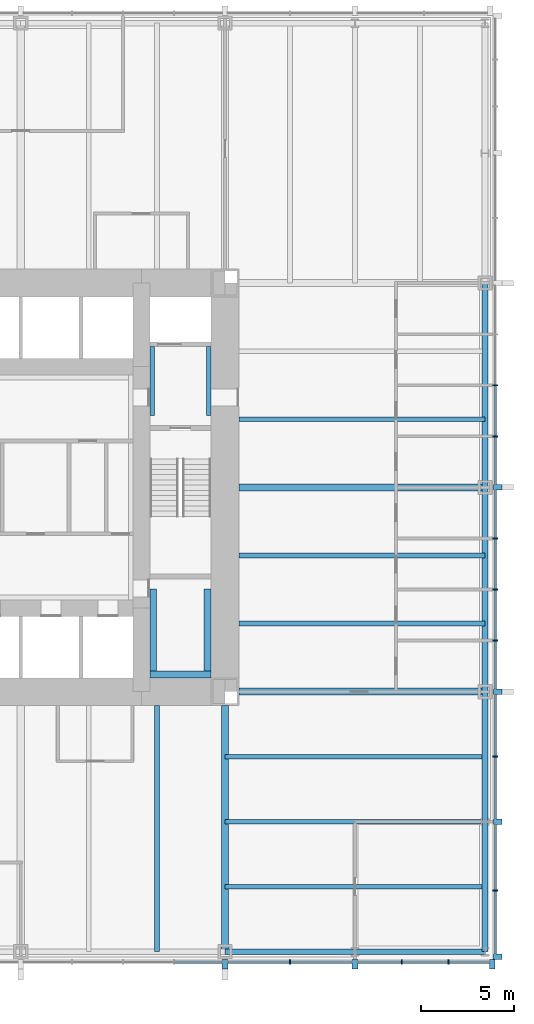
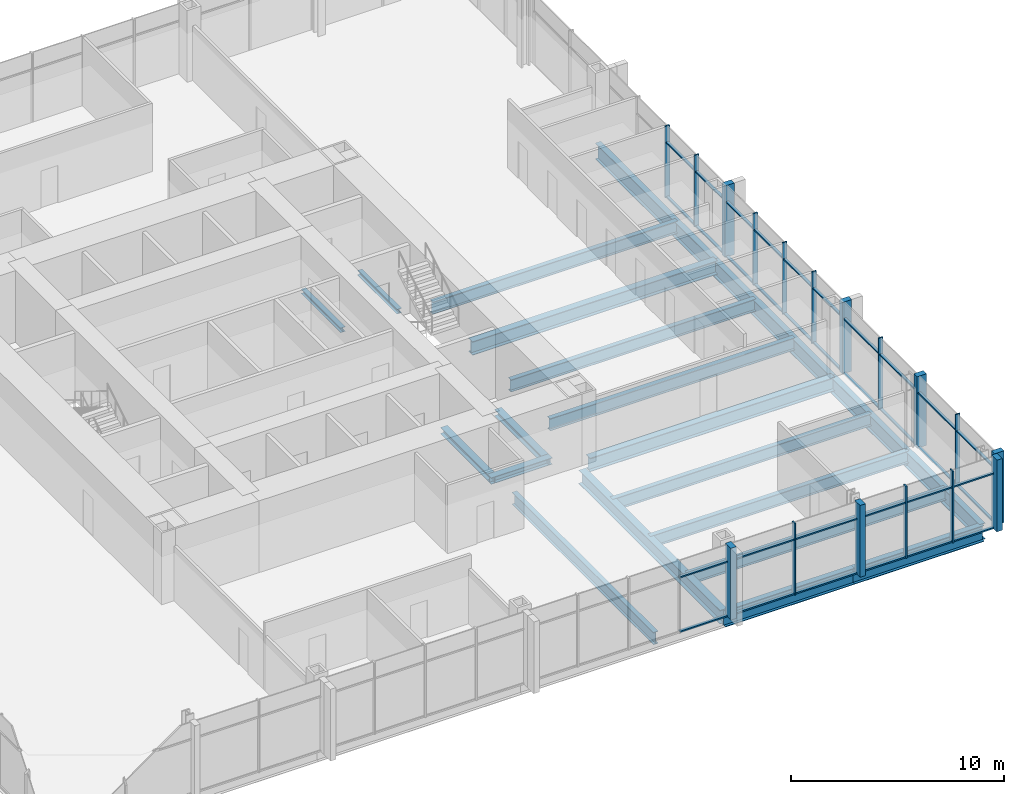
# One storey, part 4 of 13: 49 members, 21 beams, 2 elements without a shape of their own.
"""IFC4 building model written with IfcOpenShell, lengths in metres."""

from ifc_helpers import new_model, si_unit, direction, frame, origin, origin_2d, place, context, subcontext, project, spatial, rectangle, i_section, extrude, material, material_profile, profile_set, type_object, element, aggregate, save


model = new_model("IFC4")

# Units and contexts
model_context = context("Model", 3, precision=1e-05, world=origin(), true_north=direction((0.0, 1.0)))
body_context = subcontext(model_context, "Body", "Model", "MODEL_VIEW")
ifc_project = project(units=[si_unit("LENGTHUNIT", "METRE"), si_unit("AREAUNIT", "SQUARE_METRE"), si_unit("VOLUMEUNIT", "CUBIC_METRE"), si_unit("PLANEANGLEUNIT", "RADIAN"), si_unit("MASSUNIT", "GRAM", prefix="KILO")], contexts=[model_context])

# Site, building, storey
site_placement = place(None, origin())
site = spatial("IfcSite", under=ifc_project, at=site_placement, CompositionType="ELEMENT")
building_placement = place(site_placement, origin())
building = spatial("IfcBuilding", under=site, at=building_placement, Name="Trevanion Tower", CompositionType="ELEMENT")
storey_placement = place(building_placement, frame((0.0, 0.0, 81.60009765625)))
storey = spatial("IfcBuildingStorey", under=building, at=storey_placement, Name="L19", CompositionType="ELEMENT", Elevation=81.60009765625)

# Beams
ifc_material_1 = material(Name="Steel ASTM A992 Grade 50", Category="steel")
ifc_material_profile_1 = material_profile(ifc_material_1, i_section(OverallWidth=0.25390625, OverallDepth=0.700927734375, WebThickness=0.015380859375, FlangeThickness=0.02783203125, at=origin_2d()), Name="W27X129")
ifc_profile_set_1 = profile_set([ifc_material_profile_1], Name="Steel ASTM A992 Grade 50")
beam_type_1 = type_object("IfcBeamType", Name="B3 W27X129", PredefinedType="BEAM", material=ifc_profile_set_1)
for number, where, z_axis, x_axis, name in (
    (1, (11.75, -7.333251953125, -0.54052734375), (1.0, 0.0, 0.0), (0.0, 1.0, 0.0), "B3 L19"),
    (2, (11.75, -3.666748046875, -0.54052734375), (1.0, 0.0, 0.0), (0.0, 1.0, 0.0), "B3 L19"),
    (3, (11.75, 3.666748046875, -0.54052734375), (1.0, 0.0, 0.0), (0.0, 1.0, 0.0), "B3 L19"),
    (4, (7.333251953125, -11.75, -0.54052734375), (0.0, -1.0, 0.0), (1.0, 0.0, 0.0), "B3 L19"),
):
    element("IfcBeam", number, at=place(storey_placement, frame(where, z_axis=z_axis, x_axis=x_axis)), inside=storey, type_object=beam_type_1, Name=name, PredefinedType="BEAM", context=body_context, shape_type="SweptSolid", body=[
        extrude(i_section(OverallWidth=0.25390625, OverallDepth=0.700927734375, WebThickness=0.015380859375, FlangeThickness=0.02783203125, at=origin_2d()), origin(), (0.0, 0.0, 1.0), 13.25),
    ])
ifc_material_2 = material(Name="Steel ASTM A992 Grade 50", Category="steel")
ifc_material_profile_2 = material_profile(ifc_material_2, i_section(OverallWidth=0.256591796875, OverallDepth=0.693359375, WebThickness=0.014404296875, FlangeThickness=0.023681640625, at=origin_2d()), Name="W27X114")
ifc_profile_set_2 = profile_set([ifc_material_profile_2], Name="Steel ASTM A992 Grade 50")
beam_type_2 = type_object("IfcBeamType", Name="B4 W27X114", PredefinedType="BEAM", material=ifc_profile_set_2)
for number, where, z_axis, x_axis, name in (
    (5, (11.0, -14.5, -0.536865234375), (1.0, 0.0, 0.0), (0.0, 1.0, 0.0), "B4 L19"),
    (6, (11.0, -18.0, -0.536865234375), (1.0, 0.0, 0.0), (0.0, 1.0, 0.0), "B4 L19"),
    (7, (11.0, -21.5, -0.536865234375), (1.0, 0.0, 0.0), (0.0, 1.0, 0.0), "B4 L19"),
):
    element("IfcBeam", number, at=place(storey_placement, frame(where, z_axis=z_axis, x_axis=x_axis)), inside=storey, type_object=beam_type_2, Name=name, PredefinedType="BEAM", context=body_context, shape_type="SweptSolid", body=[
        extrude(i_section(OverallWidth=0.256591796875, OverallDepth=0.693359375, WebThickness=0.014404296875, FlangeThickness=0.023681640625, at=origin_2d()), origin(), (0.0, 0.0, 1.0), 14.0),
    ])

# Curtain wall, members
ifc_material_3 = material(Name="Aluminium and glass", Category="aluminium")
curtain_wall_type = type_object("IfcCurtainWallType", Name="CW1 curtain wall", PredefinedType="USERDEFINED", material=ifc_material_3)
curtain_wall_1_placement = place(storey_placement, origin())
curtain_wall_1 = element("IfcCurtainWall", 8, at=curtain_wall_1_placement, inside=storey, type_object=curtain_wall_type, Name="CW1 L19 0", ObjectType="UNITISED CURTAIN WALL", PredefinedType="USERDEFINED")
ifc_material_4 = material(Name="Aluminium extrusion, anodised bronze", Category="aluminium")
ifc_material_profile_3 = material_profile(ifc_material_4, rectangle(XDim=0.074951171875, YDim=0.25, at=origin_2d()), Name="CW1 mullion")
ifc_profile_set_3 = profile_set([ifc_material_profile_3], Name="Aluminium extrusion, anodised bronze")
member_type_1 = type_object("IfcMemberType", Name="CW1 mullion", PredefinedType="MULLION", material=ifc_profile_set_3)
member_1_placement = place(storey_placement, frame((25.550048828125, -21.7099609375, -0.190185546875), z_axis=(0.0, 0.0, 1.0), x_axis=(0.0, 1.0, 0.0)))
member_1 = element("IfcMember", 9, at=member_1_placement, type_object=member_type_1, Name="CW1 mullion 2", PredefinedType="MULLION", context=body_context, shape_type="SweptSolid", body=[
    extrude(rectangle(XDim=0.074951171875, YDim=0.25, at=origin_2d()), origin(), (0.0, 0.0, 1.0), 4.10009765625),
])
member_2_placement = place(storey_placement, frame((25.550048828125, -14.5, -0.190185546875), z_axis=(0.0, 0.0, 1.0), x_axis=(0.0, 1.0, 0.0)))
member_2 = element("IfcMember", 10, at=member_2_placement, type_object=member_type_1, Name="CW1 mullion 4", PredefinedType="MULLION", context=body_context, shape_type="SweptSolid", body=[
    extrude(rectangle(XDim=0.074951171875, YDim=0.25, at=origin_2d()), origin(), (0.0, 0.0, 1.0), 4.10009765625),
])
member_3_placement = place(storey_placement, frame((25.550048828125, -8.25, -0.190185546875), z_axis=(0.0, 0.0, 1.0), x_axis=(0.0, 1.0, 0.0)))
member_3 = element("IfcMember", 11, at=member_3_placement, type_object=member_type_1, Name="CW1 mullion 6", PredefinedType="MULLION", context=body_context, shape_type="SweptSolid", body=[
    extrude(rectangle(XDim=0.074951171875, YDim=0.25, at=origin_2d()), origin(), (0.0, 0.0, 1.0), 4.10009765625),
])
member_4_placement = place(storey_placement, frame((25.550048828125, -5.5, -0.190185546875), z_axis=(0.0, 0.0, 1.0), x_axis=(0.0, 1.0, 0.0)))
member_4 = element("IfcMember", 12, at=member_4_placement, type_object=member_type_1, Name="CW1 mullion 7", PredefinedType="MULLION", context=body_context, shape_type="SweptSolid", body=[
    extrude(rectangle(XDim=0.074951171875, YDim=0.25, at=origin_2d()), origin(), (0.0, 0.0, 1.0), 4.10009765625),
])
member_5_placement = place(storey_placement, frame((25.550048828125, -2.75, -0.190185546875), z_axis=(0.0, 0.0, 1.0), x_axis=(0.0, 1.0, 0.0)))
member_5 = element("IfcMember", 13, at=member_5_placement, type_object=member_type_1, Name="CW1 mullion 8", PredefinedType="MULLION", context=body_context, shape_type="SweptSolid", body=[
    extrude(rectangle(XDim=0.074951171875, YDim=0.25, at=origin_2d()), origin(), (0.0, 0.0, 1.0), 4.10009765625),
])
member_6_placement = place(storey_placement, frame((25.550048828125, 2.75, -0.190185546875), z_axis=(0.0, 0.0, 1.0), x_axis=(0.0, 1.0, 0.0)))
member_6 = element("IfcMember", 14, at=member_6_placement, type_object=member_type_1, Name="CW1 mullion 10", PredefinedType="MULLION", context=body_context, shape_type="SweptSolid", body=[
    extrude(rectangle(XDim=0.074951171875, YDim=0.25, at=origin_2d()), origin(), (0.0, 0.0, 1.0), 4.10009765625),
])
member_7_placement = place(storey_placement, frame((25.550048828125, 5.5, -0.190185546875), z_axis=(0.0, 0.0, 1.0), x_axis=(0.0, 1.0, 0.0)))
member_7 = element("IfcMember", 15, at=member_7_placement, type_object=member_type_1, Name="CW1 mullion 11", PredefinedType="MULLION", context=body_context, shape_type="SweptSolid", body=[
    extrude(rectangle(XDim=0.074951171875, YDim=0.25, at=origin_2d()), origin(), (0.0, 0.0, 1.0), 4.10009765625),
])

curtain_wall_2_placement = place(storey_placement, origin())
curtain_wall_2 = element("IfcCurtainWall", 16, at=curtain_wall_2_placement, inside=storey, type_object=curtain_wall_type, Name="CW1 L19 3", ObjectType="UNITISED CURTAIN WALL", PredefinedType="USERDEFINED")
member_8_placement = place(storey_placement, frame((14.5, -25.550048828125, -0.190185546875), z_axis=(0.0, 0.0, 1.0), x_axis=(1.0, 0.0, 0.0)))
member_8 = element("IfcMember", 17, at=member_8_placement, type_object=member_type_1, Name="CW1 mullion 14", PredefinedType="MULLION", context=body_context, shape_type="SweptSolid", body=[
    extrude(rectangle(XDim=0.074951171875, YDim=0.25, at=origin_2d()), origin(), (0.0, 0.0, 1.0), 4.10009765625),
])
member_9_placement = place(storey_placement, frame((20.5166015625, -25.550048828125, -0.190185546875), z_axis=(0.0, 0.0, 1.0), x_axis=(1.0, 0.0, 0.0)))
member_9 = element("IfcMember", 18, at=member_9_placement, type_object=member_type_1, Name="CW1 mullion 16", PredefinedType="MULLION", context=body_context, shape_type="SweptSolid", body=[
    extrude(rectangle(XDim=0.074951171875, YDim=0.25, at=origin_2d()), origin(), (0.0, 0.0, 1.0), 4.10009765625),
])
member_10_placement = place(storey_placement, frame((23.033203125, -25.550048828125, -0.190185546875), z_axis=(0.0, 0.0, 1.0), x_axis=(1.0, 0.0, 0.0)))
member_10 = element("IfcMember", 19, at=member_10_placement, type_object=member_type_1, Name="CW1 mullion 17", PredefinedType="MULLION", context=body_context, shape_type="SweptSolid", body=[
    extrude(rectangle(XDim=0.074951171875, YDim=0.25, at=origin_2d()), origin(), (0.0, 0.0, 1.0), 4.10009765625),
])

# Member
ifc_material_5 = material(Name="Aluminium extrusion, anodised bronze", Category="aluminium")
ifc_material_profile_4 = material_profile(ifc_material_5, rectangle(XDim=0.300048828125, YDim=0.5, at=origin_2d()), Name="CW1 pier mullion")
ifc_profile_set_4 = profile_set([ifc_material_profile_4], Name="Aluminium extrusion, anodised bronze")
member_type_2 = type_object("IfcMemberType", Name="CW1 pier mullion", PredefinedType="MULLION", material=ifc_profile_set_4)
member_11_placement = place(storey_placement, frame((25.675048828125, -25.27001953125, -0.190185546875), z_axis=(0.0, 0.0, 1.0), x_axis=(0.0, 1.0, 0.0)))
member_11 = element("IfcMember", 20, at=member_11_placement, type_object=member_type_2, Name="CW1 pier mullion 1", PredefinedType="MULLION", context=body_context, shape_type="SweptSolid", body=[
    extrude(rectangle(XDim=0.300048828125, YDim=0.5, at=origin_2d()), origin(), (0.0, 0.0, 1.0), 4.10009765625),
])

member_12_placement = place(storey_placement, frame((25.675048828125, -18.0, -0.190185546875), z_axis=(0.0, 0.0, 1.0), x_axis=(0.0, 1.0, 0.0)))
member_12 = element("IfcMember", 21, at=member_12_placement, type_object=member_type_2, Name="CW1 pier mullion 3", PredefinedType="MULLION", context=body_context, shape_type="SweptSolid", body=[
    extrude(rectangle(XDim=0.300048828125, YDim=0.5, at=origin_2d()), origin(), (0.0, 0.0, 1.0), 4.10009765625),
])

member_13_placement = place(storey_placement, frame((25.675048828125, -11.0, -0.190185546875), z_axis=(0.0, 0.0, 1.0), x_axis=(0.0, 1.0, 0.0)))
member_13 = element("IfcMember", 22, at=member_13_placement, type_object=member_type_2, Name="CW1 pier mullion 5", PredefinedType="MULLION", context=body_context, shape_type="SweptSolid", body=[
    extrude(rectangle(XDim=0.300048828125, YDim=0.5, at=origin_2d()), origin(), (0.0, 0.0, 1.0), 4.10009765625),
])

member_14_placement = place(storey_placement, frame((25.675048828125, 0.0, -0.190185546875), z_axis=(0.0, 0.0, 1.0), x_axis=(0.0, 1.0, 0.0)))
member_14 = element("IfcMember", 23, at=member_14_placement, type_object=member_type_2, Name="CW1 pier mullion 9", PredefinedType="MULLION", context=body_context, shape_type="SweptSolid", body=[
    extrude(rectangle(XDim=0.300048828125, YDim=0.5, at=origin_2d()), origin(), (0.0, 0.0, 1.0), 4.10009765625),
])

member_15_placement = place(storey_placement, frame((11.0, -25.675048828125, -0.190185546875), z_axis=(0.0, 0.0, 1.0), x_axis=(1.0, 0.0, 0.0)))
member_15 = element("IfcMember", 24, at=member_15_placement, type_object=member_type_2, Name="CW1 pier mullion 13", PredefinedType="MULLION", context=body_context, shape_type="SweptSolid", body=[
    extrude(rectangle(XDim=0.300048828125, YDim=0.5, at=origin_2d()), origin(), (0.0, 0.0, 1.0), 4.10009765625),
])

member_16_placement = place(storey_placement, frame((18.0, -25.675048828125, -0.190185546875), z_axis=(0.0, 0.0, 1.0), x_axis=(1.0, 0.0, 0.0)))
member_16 = element("IfcMember", 25, at=member_16_placement, type_object=member_type_2, Name="CW1 pier mullion 15", PredefinedType="MULLION", context=body_context, shape_type="SweptSolid", body=[
    extrude(rectangle(XDim=0.300048828125, YDim=0.5, at=origin_2d()), origin(), (0.0, 0.0, 1.0), 4.10009765625),
])

member_17_placement = place(storey_placement, frame((25.39990234375, -25.675048828125, -0.190185546875), z_axis=(0.0, 0.0, 1.0), x_axis=(1.0, 0.0, 0.0)))
member_17 = element("IfcMember", 26, at=member_17_placement, type_object=member_type_2, Name="CW1 pier mullion 18", PredefinedType="MULLION", context=body_context, shape_type="SweptSolid", body=[
    extrude(rectangle(XDim=0.300048828125, YDim=0.5, at=origin_2d()), origin(), (0.0, 0.0, 1.0), 4.10009765625),
])

ifc_material_6 = material(Name="Aluminium extrusion, anodised bronze", Category="aluminium")
ifc_material_profile_5 = material_profile(ifc_material_6, rectangle(XDim=0.14990234375, YDim=0.074951171875, at=origin_2d()), Name="CW1 transom")
ifc_profile_set_5 = profile_set([ifc_material_profile_5], Name="Aluminium extrusion, anodised bronze")
member_type_3 = type_object("IfcMemberType", Name="CW1 transom", PredefinedType="USERDEFINED", material=ifc_profile_set_5)
member_18_placement = place(storey_placement, frame((25.550048828125, -25.1201171875, -0.152587890625), z_axis=(0.0, 1.0, 0.0), x_axis=(-1.0, 0.0, 0.0)))
member_18 = element("IfcMember", 27, at=member_18_placement, type_object=member_type_3, Name="CW1 transom 1.1", ObjectType="TRANSOM", PredefinedType="USERDEFINED", context=body_context, shape_type="SweptSolid", body=[
    extrude(rectangle(XDim=0.14990234375, YDim=0.074951171875, at=origin_2d()), origin(), (0.0, 0.0, 1.0), 3.37255859375),
])

member_19_placement = place(storey_placement, frame((25.550048828125, -25.1201171875, 2.9599609375), z_axis=(0.0, 1.0, 0.0), x_axis=(-1.0, 0.0, 0.0)))
member_19 = element("IfcMember", 28, at=member_19_placement, type_object=member_type_3, Name="CW1 transom 1.2", ObjectType="TRANSOM", PredefinedType="USERDEFINED", context=body_context, shape_type="SweptSolid", body=[
    extrude(rectangle(XDim=0.14990234375, YDim=0.074951171875, at=origin_2d()), origin(), (0.0, 0.0, 1.0), 3.37255859375),
])

member_20_placement = place(storey_placement, frame((25.550048828125, -21.672607421875, -0.152587890625), z_axis=(0.0, 1.0, 0.0), x_axis=(-1.0, 0.0, 0.0)))
member_20 = element("IfcMember", 29, at=member_20_placement, type_object=member_type_3, Name="CW1 transom 2.1", ObjectType="TRANSOM", PredefinedType="USERDEFINED", context=body_context, shape_type="SweptSolid", body=[
    extrude(rectangle(XDim=0.14990234375, YDim=0.074951171875, at=origin_2d()), origin(), (0.0, 0.0, 1.0), 3.522705078125),
])

member_21_placement = place(storey_placement, frame((25.550048828125, -21.672607421875, 2.9599609375), z_axis=(0.0, 1.0, 0.0), x_axis=(-1.0, 0.0, 0.0)))
member_21 = element("IfcMember", 30, at=member_21_placement, type_object=member_type_3, Name="CW1 transom 2.2", ObjectType="TRANSOM", PredefinedType="USERDEFINED", context=body_context, shape_type="SweptSolid", body=[
    extrude(rectangle(XDim=0.14990234375, YDim=0.074951171875, at=origin_2d()), origin(), (0.0, 0.0, 1.0), 3.522705078125),
])

member_22_placement = place(storey_placement, frame((25.550048828125, -17.85009765625, -0.152587890625), z_axis=(0.0, 1.0, 0.0), x_axis=(-1.0, 0.0, 0.0)))
member_22 = element("IfcMember", 31, at=member_22_placement, type_object=member_type_3, Name="CW1 transom 3.1", ObjectType="TRANSOM", PredefinedType="USERDEFINED", context=body_context, shape_type="SweptSolid", body=[
    extrude(rectangle(XDim=0.14990234375, YDim=0.074951171875, at=origin_2d()), origin(), (0.0, 0.0, 1.0), 3.3125),
])

member_23_placement = place(storey_placement, frame((25.550048828125, -17.85009765625, 2.9599609375), z_axis=(0.0, 1.0, 0.0), x_axis=(-1.0, 0.0, 0.0)))
member_23 = element("IfcMember", 32, at=member_23_placement, type_object=member_type_3, Name="CW1 transom 3.2", ObjectType="TRANSOM", PredefinedType="USERDEFINED", context=body_context, shape_type="SweptSolid", body=[
    extrude(rectangle(XDim=0.14990234375, YDim=0.074951171875, at=origin_2d()), origin(), (0.0, 0.0, 1.0), 3.3125),
])

member_24_placement = place(storey_placement, frame((25.550048828125, -14.46240234375, -0.152587890625), z_axis=(0.0, 1.0, 0.0), x_axis=(-1.0, 0.0, 0.0)))
member_24 = element("IfcMember", 33, at=member_24_placement, type_object=member_type_3, Name="CW1 transom 4.1", ObjectType="TRANSOM", PredefinedType="USERDEFINED", context=body_context, shape_type="SweptSolid", body=[
    extrude(rectangle(XDim=0.14990234375, YDim=0.074951171875, at=origin_2d()), origin(), (0.0, 0.0, 1.0), 3.3125),
])

member_25_placement = place(storey_placement, frame((25.550048828125, -14.46240234375, 2.9599609375), z_axis=(0.0, 1.0, 0.0), x_axis=(-1.0, 0.0, 0.0)))
member_25 = element("IfcMember", 34, at=member_25_placement, type_object=member_type_3, Name="CW1 transom 4.2", ObjectType="TRANSOM", PredefinedType="USERDEFINED", context=body_context, shape_type="SweptSolid", body=[
    extrude(rectangle(XDim=0.14990234375, YDim=0.074951171875, at=origin_2d()), origin(), (0.0, 0.0, 1.0), 3.3125),
])

member_26_placement = place(storey_placement, frame((25.550048828125, -10.85009765625, -0.152587890625), z_axis=(0.0, 1.0, 0.0), x_axis=(-1.0, 0.0, 0.0)))
member_26 = element("IfcMember", 35, at=member_26_placement, type_object=member_type_3, Name="CW1 transom 5.1", ObjectType="TRANSOM", PredefinedType="USERDEFINED", context=body_context, shape_type="SweptSolid", body=[
    extrude(rectangle(XDim=0.14990234375, YDim=0.074951171875, at=origin_2d()), origin(), (0.0, 0.0, 1.0), 2.5625),
])

member_27_placement = place(storey_placement, frame((25.550048828125, -10.85009765625, 2.9599609375), z_axis=(0.0, 1.0, 0.0), x_axis=(-1.0, 0.0, 0.0)))
member_27 = element("IfcMember", 36, at=member_27_placement, type_object=member_type_3, Name="CW1 transom 5.2", ObjectType="TRANSOM", PredefinedType="USERDEFINED", context=body_context, shape_type="SweptSolid", body=[
    extrude(rectangle(XDim=0.14990234375, YDim=0.074951171875, at=origin_2d()), origin(), (0.0, 0.0, 1.0), 2.5625),
])

member_28_placement = place(storey_placement, frame((25.550048828125, -8.21240234375, -0.152587890625), z_axis=(0.0, 1.0, 0.0), x_axis=(-1.0, 0.0, 0.0)))
member_28 = element("IfcMember", 37, at=member_28_placement, type_object=member_type_3, Name="CW1 transom 6.1", ObjectType="TRANSOM", PredefinedType="USERDEFINED", context=body_context, shape_type="SweptSolid", body=[
    extrude(rectangle(XDim=0.14990234375, YDim=0.074951171875, at=origin_2d()), origin(), (0.0, 0.0, 1.0), 2.6748046875),
])

member_29_placement = place(storey_placement, frame((25.550048828125, -8.21240234375, 2.9599609375), z_axis=(0.0, 1.0, 0.0), x_axis=(-1.0, 0.0, 0.0)))
member_29 = element("IfcMember", 38, at=member_29_placement, type_object=member_type_3, Name="CW1 transom 6.2", ObjectType="TRANSOM", PredefinedType="USERDEFINED", context=body_context, shape_type="SweptSolid", body=[
    extrude(rectangle(XDim=0.14990234375, YDim=0.074951171875, at=origin_2d()), origin(), (0.0, 0.0, 1.0), 2.6748046875),
])

member_30_placement = place(storey_placement, frame((25.550048828125, -5.46240234375, -0.152587890625), z_axis=(0.0, 1.0, 0.0), x_axis=(-1.0, 0.0, 0.0)))
member_30 = element("IfcMember", 39, at=member_30_placement, type_object=member_type_3, Name="CW1 transom 7.1", ObjectType="TRANSOM", PredefinedType="USERDEFINED", context=body_context, shape_type="SweptSolid", body=[
    extrude(rectangle(XDim=0.14990234375, YDim=0.074951171875, at=origin_2d()), origin(), (0.0, 0.0, 1.0), 2.6748046875),
])

member_31_placement = place(storey_placement, frame((25.550048828125, -5.46240234375, 2.9599609375), z_axis=(0.0, 1.0, 0.0), x_axis=(-1.0, 0.0, 0.0)))
member_31 = element("IfcMember", 40, at=member_31_placement, type_object=member_type_3, Name="CW1 transom 7.2", ObjectType="TRANSOM", PredefinedType="USERDEFINED", context=body_context, shape_type="SweptSolid", body=[
    extrude(rectangle(XDim=0.14990234375, YDim=0.074951171875, at=origin_2d()), origin(), (0.0, 0.0, 1.0), 2.6748046875),
])

member_32_placement = place(storey_placement, frame((25.550048828125, -2.71240234375, -0.152587890625), z_axis=(0.0, 1.0, 0.0), x_axis=(-1.0, 0.0, 0.0)))
member_32 = element("IfcMember", 41, at=member_32_placement, type_object=member_type_3, Name="CW1 transom 8.1", ObjectType="TRANSOM", PredefinedType="USERDEFINED", context=body_context, shape_type="SweptSolid", body=[
    extrude(rectangle(XDim=0.14990234375, YDim=0.074951171875, at=origin_2d()), origin(), (0.0, 0.0, 1.0), 2.5625),
])

member_33_placement = place(storey_placement, frame((25.550048828125, -2.71240234375, 2.9599609375), z_axis=(0.0, 1.0, 0.0), x_axis=(-1.0, 0.0, 0.0)))
member_33 = element("IfcMember", 42, at=member_33_placement, type_object=member_type_3, Name="CW1 transom 8.2", ObjectType="TRANSOM", PredefinedType="USERDEFINED", context=body_context, shape_type="SweptSolid", body=[
    extrude(rectangle(XDim=0.14990234375, YDim=0.074951171875, at=origin_2d()), origin(), (0.0, 0.0, 1.0), 2.5625),
])

member_34_placement = place(storey_placement, frame((25.550048828125, 0.14990234375, -0.152587890625), z_axis=(0.0, 1.0, 0.0), x_axis=(-1.0, 0.0, 0.0)))
member_34 = element("IfcMember", 43, at=member_34_placement, type_object=member_type_3, Name="CW1 transom 9.1", ObjectType="TRANSOM", PredefinedType="USERDEFINED", context=body_context, shape_type="SweptSolid", body=[
    extrude(rectangle(XDim=0.14990234375, YDim=0.074951171875, at=origin_2d()), origin(), (0.0, 0.0, 1.0), 2.5625),
])

member_35_placement = place(storey_placement, frame((25.550048828125, 0.14990234375, 2.9599609375), z_axis=(0.0, 1.0, 0.0), x_axis=(-1.0, 0.0, 0.0)))
member_35 = element("IfcMember", 44, at=member_35_placement, type_object=member_type_3, Name="CW1 transom 9.2", ObjectType="TRANSOM", PredefinedType="USERDEFINED", context=body_context, shape_type="SweptSolid", body=[
    extrude(rectangle(XDim=0.14990234375, YDim=0.074951171875, at=origin_2d()), origin(), (0.0, 0.0, 1.0), 2.5625),
])

member_36_placement = place(storey_placement, frame((25.550048828125, 2.78759765625, -0.152587890625), z_axis=(0.0, 1.0, 0.0), x_axis=(-1.0, 0.0, 0.0)))
member_36 = element("IfcMember", 45, at=member_36_placement, type_object=member_type_3, Name="CW1 transom 10.1", ObjectType="TRANSOM", PredefinedType="USERDEFINED", context=body_context, shape_type="SweptSolid", body=[
    extrude(rectangle(XDim=0.14990234375, YDim=0.074951171875, at=origin_2d()), origin(), (0.0, 0.0, 1.0), 2.6748046875),
])

member_37_placement = place(storey_placement, frame((25.550048828125, 2.78759765625, 2.9599609375), z_axis=(0.0, 1.0, 0.0), x_axis=(-1.0, 0.0, 0.0)))
member_37 = element("IfcMember", 46, at=member_37_placement, type_object=member_type_3, Name="CW1 transom 10.2", ObjectType="TRANSOM", PredefinedType="USERDEFINED", context=body_context, shape_type="SweptSolid", body=[
    extrude(rectangle(XDim=0.14990234375, YDim=0.074951171875, at=origin_2d()), origin(), (0.0, 0.0, 1.0), 2.6748046875),
])

aggregate(curtain_wall_1, [member_11, member_1, member_12, member_2, member_13, member_3, member_4, member_5, member_14, member_6, member_7, member_18, member_19, member_20, member_21, member_22, member_23, member_24, member_25, member_26, member_27, member_28, member_29, member_30, member_31, member_32, member_33, member_34, member_35, member_36, member_37])

member_38_placement = place(storey_placement, frame((8.28759765625, -25.550048828125, -0.152587890625), z_axis=(1.0, 0.0, 0.0), x_axis=(0.0, 1.0, 0.0)))
member_38 = element("IfcMember", 47, at=member_38_placement, type_object=member_type_3, Name="CW1 transom 12.1", ObjectType="TRANSOM", PredefinedType="USERDEFINED", context=body_context, shape_type="SweptSolid", body=[
    extrude(rectangle(XDim=0.14990234375, YDim=0.074951171875, at=origin_2d()), origin(), (0.0, 0.0, 1.0), 2.5625),
])

member_39_placement = place(storey_placement, frame((8.28759765625, -25.550048828125, 2.9599609375), z_axis=(1.0, 0.0, 0.0), x_axis=(0.0, 1.0, 0.0)))
member_39 = element("IfcMember", 48, at=member_39_placement, type_object=member_type_3, Name="CW1 transom 12.2", ObjectType="TRANSOM", PredefinedType="USERDEFINED", context=body_context, shape_type="SweptSolid", body=[
    extrude(rectangle(XDim=0.14990234375, YDim=0.074951171875, at=origin_2d()), origin(), (0.0, 0.0, 1.0), 2.5625),
])

member_40_placement = place(storey_placement, frame((11.14990234375, -25.550048828125, -0.152587890625), z_axis=(1.0, 0.0, 0.0), x_axis=(0.0, 1.0, 0.0)))
member_40 = element("IfcMember", 49, at=member_40_placement, type_object=member_type_3, Name="CW1 transom 13.1", ObjectType="TRANSOM", PredefinedType="USERDEFINED", context=body_context, shape_type="SweptSolid", body=[
    extrude(rectangle(XDim=0.14990234375, YDim=0.074951171875, at=origin_2d()), origin(), (0.0, 0.0, 1.0), 3.3125),
])

member_41_placement = place(storey_placement, frame((11.14990234375, -25.550048828125, 2.9599609375), z_axis=(1.0, 0.0, 0.0), x_axis=(0.0, 1.0, 0.0)))
member_41 = element("IfcMember", 50, at=member_41_placement, type_object=member_type_3, Name="CW1 transom 13.2", ObjectType="TRANSOM", PredefinedType="USERDEFINED", context=body_context, shape_type="SweptSolid", body=[
    extrude(rectangle(XDim=0.14990234375, YDim=0.074951171875, at=origin_2d()), origin(), (0.0, 0.0, 1.0), 3.3125),
])

member_42_placement = place(storey_placement, frame((14.53759765625, -25.550048828125, -0.152587890625), z_axis=(1.0, 0.0, 0.0), x_axis=(0.0, 1.0, 0.0)))
member_42 = element("IfcMember", 51, at=member_42_placement, type_object=member_type_3, Name="CW1 transom 14.1", ObjectType="TRANSOM", PredefinedType="USERDEFINED", context=body_context, shape_type="SweptSolid", body=[
    extrude(rectangle(XDim=0.14990234375, YDim=0.074951171875, at=origin_2d()), origin(), (0.0, 0.0, 1.0), 3.3125),
])

member_43_placement = place(storey_placement, frame((14.53759765625, -25.550048828125, 2.9599609375), z_axis=(1.0, 0.0, 0.0), x_axis=(0.0, 1.0, 0.0)))
member_43 = element("IfcMember", 52, at=member_43_placement, type_object=member_type_3, Name="CW1 transom 14.2", ObjectType="TRANSOM", PredefinedType="USERDEFINED", context=body_context, shape_type="SweptSolid", body=[
    extrude(rectangle(XDim=0.14990234375, YDim=0.074951171875, at=origin_2d()), origin(), (0.0, 0.0, 1.0), 3.3125),
])

member_44_placement = place(storey_placement, frame((18.14990234375, -25.550048828125, -0.152587890625), z_axis=(1.0, 0.0, 0.0), x_axis=(0.0, 1.0, 0.0)))
member_44 = element("IfcMember", 53, at=member_44_placement, type_object=member_type_3, Name="CW1 transom 15.1", ObjectType="TRANSOM", PredefinedType="USERDEFINED", context=body_context, shape_type="SweptSolid", body=[
    extrude(rectangle(XDim=0.14990234375, YDim=0.074951171875, at=origin_2d()), origin(), (0.0, 0.0, 1.0), 2.329345703125),
])

member_45_placement = place(storey_placement, frame((18.14990234375, -25.550048828125, 2.9599609375), z_axis=(1.0, 0.0, 0.0), x_axis=(0.0, 1.0, 0.0)))
member_45 = element("IfcMember", 54, at=member_45_placement, type_object=member_type_3, Name="CW1 transom 15.2", ObjectType="TRANSOM", PredefinedType="USERDEFINED", context=body_context, shape_type="SweptSolid", body=[
    extrude(rectangle(XDim=0.14990234375, YDim=0.074951171875, at=origin_2d()), origin(), (0.0, 0.0, 1.0), 2.329345703125),
])

member_46_placement = place(storey_placement, frame((20.55419921875, -25.550048828125, -0.152587890625), z_axis=(1.0, 0.0, 0.0), x_axis=(0.0, 1.0, 0.0)))
member_46 = element("IfcMember", 55, at=member_46_placement, type_object=member_type_3, Name="CW1 transom 16.1", ObjectType="TRANSOM", PredefinedType="USERDEFINED", context=body_context, shape_type="SweptSolid", body=[
    extrude(rectangle(XDim=0.14990234375, YDim=0.074951171875, at=origin_2d()), origin(), (0.0, 0.0, 1.0), 2.441650390625),
])

member_47_placement = place(storey_placement, frame((20.55419921875, -25.550048828125, 2.9599609375), z_axis=(1.0, 0.0, 0.0), x_axis=(0.0, 1.0, 0.0)))
member_47 = element("IfcMember", 56, at=member_47_placement, type_object=member_type_3, Name="CW1 transom 16.2", ObjectType="TRANSOM", PredefinedType="USERDEFINED", context=body_context, shape_type="SweptSolid", body=[
    extrude(rectangle(XDim=0.14990234375, YDim=0.074951171875, at=origin_2d()), origin(), (0.0, 0.0, 1.0), 2.441650390625),
])

member_48_placement = place(storey_placement, frame((23.07080078125, -25.550048828125, -0.152587890625), z_axis=(1.0, 0.0, 0.0), x_axis=(0.0, 1.0, 0.0)))
member_48 = element("IfcMember", 57, at=member_48_placement, type_object=member_type_3, Name="CW1 transom 17.1", ObjectType="TRANSOM", PredefinedType="USERDEFINED", context=body_context, shape_type="SweptSolid", body=[
    extrude(rectangle(XDim=0.14990234375, YDim=0.074951171875, at=origin_2d()), origin(), (0.0, 0.0, 1.0), 2.17919921875),
])

member_49_placement = place(storey_placement, frame((23.07080078125, -25.550048828125, 2.9599609375), z_axis=(1.0, 0.0, 0.0), x_axis=(0.0, 1.0, 0.0)))
member_49 = element("IfcMember", 58, at=member_49_placement, type_object=member_type_3, Name="CW1 transom 17.2", ObjectType="TRANSOM", PredefinedType="USERDEFINED", context=body_context, shape_type="SweptSolid", body=[
    extrude(rectangle(XDim=0.14990234375, YDim=0.074951171875, at=origin_2d()), origin(), (0.0, 0.0, 1.0), 2.17919921875),
])

aggregate(curtain_wall_2, [member_15, member_8, member_16, member_9, member_10, member_17, member_38, member_39, member_40, member_41, member_42, member_43, member_44, member_45, member_46, member_47, member_48, member_49])

# Beams
ifc_material_7 = material(Name="Steel ASTM A992 Grade 50", Category="steel")
ifc_material_profile_6 = material_profile(ifc_material_7, i_section(OverallWidth=0.381103515625, OverallDepth=0.77978515625, WebThickness=0.01806640625, FlangeThickness=0.0302734375, at=origin_2d()), Name="W30X191")
ifc_profile_set_6 = profile_set([ifc_material_profile_6], Name="Steel ASTM A992 Grade 50")
beam_type_3 = type_object("IfcBeamType", Name="G2 W30X191", PredefinedType="BEAM", material=ifc_profile_set_6)
for number, where, z_axis, x_axis, name in (
    (59, (11.75, -11.0, -0.580078125), (1.0, 0.0, 0.0), (0.0, 1.0, 0.0), "G2 L19"),
    (60, (11.75, 0.0, -0.580078125), (1.0, 0.0, 0.0), (0.0, 1.0, 0.0), "G2 L19"),
    (61, (11.0, -11.75, -0.580078125), (0.0, -1.0, 0.0), (1.0, 0.0, 0.0), "G2 L19"),
):
    element("IfcBeam", number, at=place(storey_placement, frame(where, z_axis=z_axis, x_axis=x_axis)), inside=storey, type_object=beam_type_3, Name=name, PredefinedType="BEAM", context=body_context, shape_type="SweptSolid", body=[
        extrude(i_section(OverallWidth=0.381103515625, OverallDepth=0.77978515625, WebThickness=0.01806640625, FlangeThickness=0.0302734375, at=origin_2d()), origin(), (0.0, 0.0, 1.0), 13.25),
    ])
ifc_material_8 = material(Name="Steel ASTM A992 Grade 50", Category="steel")
ifc_material_profile_7 = material_profile(ifc_material_8, i_section(OverallWidth=0.256591796875, OverallDepth=0.26416015625, WebThickness=0.011962890625, FlangeThickness=0.01953125, at=origin_2d()), Name="W10X68")
ifc_profile_set_7 = profile_set([ifc_material_profile_7], Name="Steel ASTM A992 Grade 50")
beam_type_4 = type_object("IfcBeamType", Name="LB1 W10X68", PredefinedType="BEAM", material=ifc_profile_set_7)
for number, where, z_axis, x_axis, name in (
    (62, (7.078369140625, 3.875, -0.332275390625), (0.0, 1.0, 0.0), (-1.0, 0.0, 0.0), "LB1 L19"),
    (63, (10.12158203125, 3.875, -0.332275390625), (0.0, 1.0, 0.0), (-1.0, 0.0, 0.0), "LB1 L19"),
):
    element("IfcBeam", number, at=place(storey_placement, frame(where, z_axis=z_axis, x_axis=x_axis)), inside=storey, type_object=beam_type_4, Name=name, PredefinedType="BEAM", context=body_context, shape_type="SweptSolid", body=[
        extrude(i_section(OverallWidth=0.256591796875, OverallDepth=0.26416015625, WebThickness=0.011962890625, FlangeThickness=0.01953125, at=origin_2d()), origin(), (0.0, 0.0, 1.0), 3.699951171875),
    ])
ifc_material_9 = material(Name="Steel ASTM A992 Grade 50", Category="steel")
ifc_material_profile_8 = material_profile(ifc_material_9, i_section(OverallWidth=0.373291015625, OverallDepth=0.373291015625, WebThickness=0.016357421875, FlangeThickness=0.026123046875, at=origin_2d()), Name="W14X132")
ifc_profile_set_8 = profile_set([ifc_material_profile_8], Name="Steel ASTM A992 Grade 50")
beam_type_5 = type_object("IfcBeamType", Name="LB2 W14X132", PredefinedType="BEAM", material=ifc_profile_set_8)
for number, where, z_axis, x_axis, name in (
    (64, (7.13671875, -10.25, -0.38671875), (0.0, 1.0, 0.0), (-1.0, 0.0, 0.0), "LB2 L19"),
    (65, (10.063232421875, -10.25, -0.38671875), (0.0, 1.0, 0.0), (-1.0, 0.0, 0.0), "LB2 L19"),
):
    element("IfcBeam", number, at=place(storey_placement, frame(where, z_axis=z_axis, x_axis=x_axis)), inside=storey, type_object=beam_type_5, Name=name, PredefinedType="BEAM", context=body_context, shape_type="SweptSolid", body=[
        extrude(i_section(OverallWidth=0.373291015625, OverallDepth=0.373291015625, WebThickness=0.016357421875, FlangeThickness=0.026123046875, at=origin_2d()), origin(), (0.0, 0.0, 1.0), 4.77490234375),
    ])
beam_placement = place(storey_placement, frame((6.949951171875, -10.063232421875, -0.38671875), z_axis=(1.0, 0.0, 0.0), x_axis=(0.0, 1.0, 0.0)))
element("IfcBeam", 66, at=beam_placement, inside=storey, type_object=beam_type_5, Name="LB2 L19", PredefinedType="BEAM", context=body_context, shape_type="SweptSolid", body=[
    extrude(i_section(OverallWidth=0.373291015625, OverallDepth=0.373291015625, WebThickness=0.016357421875, FlangeThickness=0.026123046875, at=origin_2d()), origin(), (0.0, 0.0, 1.0), 3.300048828125),
])
ifc_material_10 = material(Name="Steel ASTM A992 Grade 50", Category="steel")
ifc_material_profile_9 = material_profile(ifc_material_10, i_section(OverallWidth=0.307373046875, OverallDepth=0.927001953125, WebThickness=0.01953125, FlangeThickness=0.031982421875, at=origin_2d()), Name="W36X194")
ifc_profile_set_9 = profile_set([ifc_material_profile_9], Name="Steel ASTM A992 Grade 50")
beam_type_6 = type_object("IfcBeamType", Name="SB2 W36X194", PredefinedType="SPANDREL", material=ifc_profile_set_9)
for number, where, z_axis, x_axis, name in (
    (67, (25.0, -25.0, -0.65380859375), (0.0, 1.0, 0.0), (-1.0, 0.0, 0.0), "SB2 L19"),
    (68, (25.0, -18.0, -0.65380859375), (0.0, 1.0, 0.0), (-1.0, 0.0, 0.0), "SB2 L19"),
):
    element("IfcBeam", number, at=place(storey_placement, frame(where, z_axis=z_axis, x_axis=x_axis)), inside=storey, type_object=beam_type_6, Name=name, PredefinedType="SPANDREL", context=body_context, shape_type="SweptSolid", body=[
        extrude(i_section(OverallWidth=0.307373046875, OverallDepth=0.927001953125, WebThickness=0.01953125, FlangeThickness=0.031982421875, at=origin_2d()), origin(), (0.0, 0.0, 1.0), 7.0),
    ])
for number, where, z_axis, x_axis, name in (
    (69, (25.0, -11.0, -0.65380859375), (0.0, 1.0, 0.0), (-1.0, 0.0, 0.0), "SB2 L19"),
    (70, (25.0, 0.0, -0.65380859375), (0.0, 1.0, 0.0), (-1.0, 0.0, 0.0), "SB2 L19"),
):
    element("IfcBeam", number, at=place(storey_placement, frame(where, z_axis=z_axis, x_axis=x_axis)), inside=storey, type_object=beam_type_6, Name=name, PredefinedType="SPANDREL", context=body_context, shape_type="SweptSolid", body=[
        extrude(i_section(OverallWidth=0.307373046875, OverallDepth=0.927001953125, WebThickness=0.01953125, FlangeThickness=0.031982421875, at=origin_2d()), origin(), (0.0, 0.0, 1.0), 11.0),
    ])
for number, where, z_axis, x_axis, name in (
    (71, (11.0, -25.0, -0.65380859375), (1.0, 0.0, 0.0), (0.0, 1.0, 0.0), "SB2 L19"),
    (72, (18.0, -25.0, -0.65380859375), (1.0, 0.0, 0.0), (0.0, 1.0, 0.0), "SB2 L19"),
):
    element("IfcBeam", number, at=place(storey_placement, frame(where, z_axis=z_axis, x_axis=x_axis)), inside=storey, type_object=beam_type_6, Name=name, PredefinedType="SPANDREL", context=body_context, shape_type="SweptSolid", body=[
        extrude(i_section(OverallWidth=0.307373046875, OverallDepth=0.927001953125, WebThickness=0.01953125, FlangeThickness=0.031982421875, at=origin_2d()), origin(), (0.0, 0.0, 1.0), 7.0),
    ])

save(model, "model.ifc")
